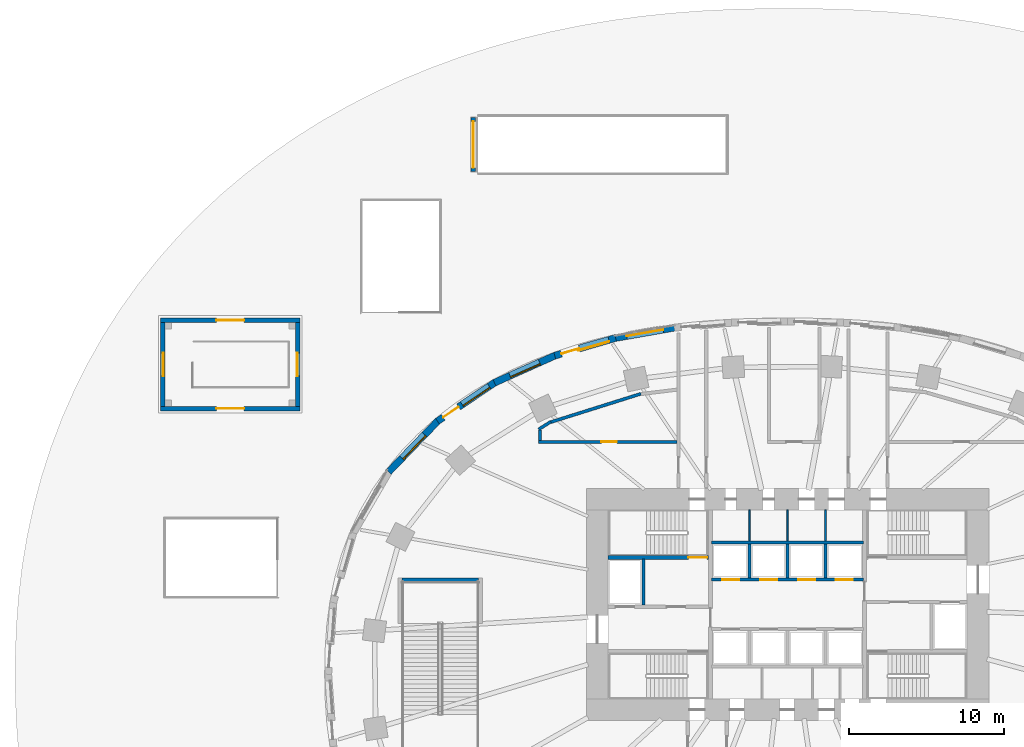
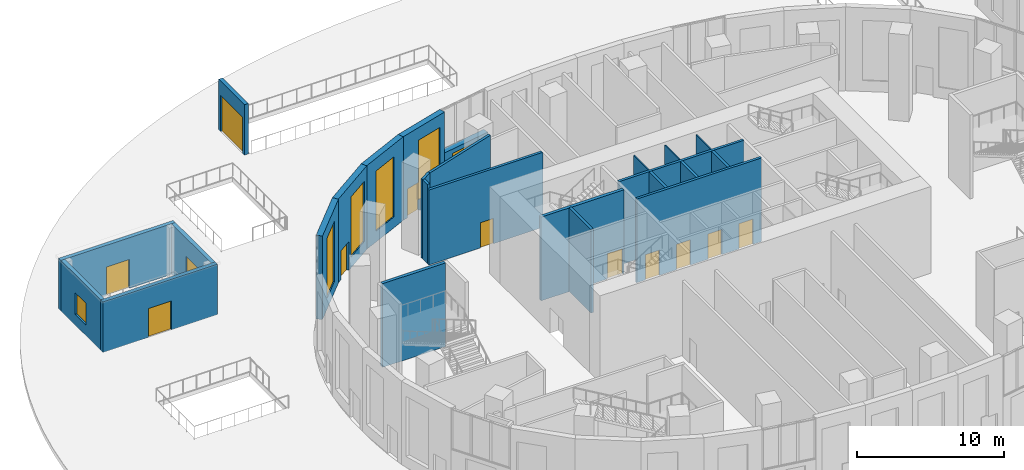
# One storey, part 14 of 27: 25 walls, 12 doors, 6 windows, 18 openings.
"""IFC4 building model written with IfcOpenShell, lengths in metres."""

import ifcopenshell
import ifcopenshell.guid

model = None  # the IFC model being written
_history = None  # IfcOwnerHistory: only IFC2X3 demands one
_inside = {}  # id of a spatial element -> (the spatial element, [elements in it])
_under = {}  # id of a project, library or spatial element -> (it, [spatial elements below it])
_declared = {}  # id of a project -> (the project, [libraries it declares])
_typed = {}  # id of a type object -> (the type object, [elements of that type])
_made_of = {}  # id of a material, layer set ... -> (it, [elements and type objects made of it])


def new_model(schema):
    """Start an empty IFC model of exactly this schema.

    Asked for "IFC4X3", IfcOpenShell would pick the latest addendum, in which some entities
    have other attributes; the version numbers below select the first issue.
    IFC2X3 requires an IfcOwnerHistory on every rooted entity: one is made here for all.
    """
    global model, _history
    if schema == "IFC4X3":
        model = ifcopenshell.file(schema_version=(4, 3, 0, 0))
    else:
        model = ifcopenshell.file(schema=schema)
    _inside.clear()
    _under.clear()
    _declared.clear()
    _typed.clear()
    _made_of.clear()
    _history = None
    if model.schema == "IFC2X3":
        org = make("IfcOrganization", Name="unknown")
        user = make(
            "IfcPersonAndOrganization",
            ThePerson=make("IfcPerson", FamilyName="unknown"),
            TheOrganization=org,
        )
        app = make(
            "IfcApplication",
            ApplicationDeveloper=org,
            Version="unknown",
            ApplicationFullName="unknown",
            ApplicationIdentifier="unknown",
        )
        _history = make(
            "IfcOwnerHistory",
            OwningUser=user,
            OwningApplication=app,
            ChangeAction="ADDED",
            CreationDate=0,
        )
    return model


def make(cls, **values):
    """One entity of the class cls with the attributes given. An attribute that is None is left unset."""
    return model.create_entity(
        cls, **{name: value for name, value in values.items() if value is not None}
    )


def rooted(cls, **values):
    """An entity with a GlobalId (a new one), such as an element, a storey or a relation."""
    return make(cls, GlobalId=ifcopenshell.guid.new(), OwnerHistory=_history, **values)


def si_unit(unit_type, name, prefix=None):
    """IfcSIUnit, for example si_unit("LENGTHUNIT", "METRE", prefix="MILLI")."""
    return make("IfcSIUnit", UnitType=unit_type, Prefix=prefix, Name=name)


def assignment(units):
    """IfcUnitAssignment: the units of a project."""
    return None if units is None else make("IfcUnitAssignment", Units=units)


def point(xyz):
    """IfcCartesianPoint."""
    return None if xyz is None else make("IfcCartesianPoint", Coordinates=xyz)


def direction(xyz):
    """IfcDirection."""
    return None if xyz is None else make("IfcDirection", DirectionRatios=xyz)


def frame(location, z_axis=None, x_axis=None):
    """IfcAxis2Placement3D, a coordinate frame: its origin and axes. An axis left out is left unset."""
    return make(
        "IfcAxis2Placement3D",
        Location=point(location),
        Axis=direction(z_axis),
        RefDirection=direction(x_axis),
    )


def frame_2d(location, x_axis=None):
    """IfcAxis2Placement2D, a coordinate frame in the plane: its origin and x axis."""
    return make(
        "IfcAxis2Placement2D", Location=point(location), RefDirection=direction(x_axis)
    )


def origin():
    """The frame at (0, 0, 0) with its axes left unset."""
    return frame((0.0, 0.0, 0.0))


def place(relative_to, where):
    """IfcLocalPlacement: puts the frame where relative to a parent placement (None: the world)."""
    return make(
        "IfcLocalPlacement", PlacementRelTo=relative_to, RelativePlacement=where
    )


def context(
    kind, dimensions, precision=None, world=None, true_north=None, identifier=None
):
    """IfcGeometricRepresentationContext, for example the 3D "Model" context."""
    return make(
        "IfcGeometricRepresentationContext",
        ContextIdentifier=identifier,
        ContextType=kind,
        CoordinateSpaceDimension=dimensions,
        Precision=precision,
        WorldCoordinateSystem=world,
        TrueNorth=true_north,
    )


def subcontext(parent, identifier, kind, view, scale=None):
    """IfcGeometricRepresentationSubContext, for example "Body" below "Model"."""
    return make(
        "IfcGeometricRepresentationSubContext",
        ContextIdentifier=identifier,
        ContextType=kind,
        ParentContext=parent,
        TargetScale=scale,
        TargetView=view,
    )


def project(units=None, contexts=None):
    """IfcProject with its units and contexts."""
    return rooted(
        "IfcProject",
        Name="project",
        RepresentationContexts=contexts,
        UnitsInContext=assignment(units),
    )


def spatial(cls, under=None, at=None, **own):
    """A site, building, storey or space (cls), placed at a placement, below another one or the project."""
    s = rooted(cls, ObjectPlacement=at, **own)
    if under is not None:
        _under.setdefault(under.id(), (under, []))[1].append(s)
    return s


def profile(cls, at=None, kind="AREA", **sizes):
    """A parametric profile (cls). Its sizes go by their IFC names, for example OverallWidth=200.0."""
    return make(cls, ProfileType=kind, Position=at, **sizes)


def rectangle(**sizes):
    """IfcRectangleProfileDef."""
    return profile("IfcRectangleProfileDef", **sizes)


def extrude(swept, where, along, depth):
    """IfcExtrudedAreaSolid: the profile swept, set in the frame where, extruded along a direction by depth."""
    return make(
        "IfcExtrudedAreaSolid",
        SweptArea=swept,
        Position=where,
        ExtrudedDirection=direction(along),
        Depth=depth,
    )


def shape(context_of_items, identifier, shape_type, items):
    """IfcShapeRepresentation: the items that make up one representation, for example the "Body"."""
    return make(
        "IfcShapeRepresentation",
        ContextOfItems=context_of_items,
        RepresentationIdentifier=identifier,
        RepresentationType=shape_type,
        Items=items,
    )


def material(Name=None, Category=None):
    """IfcMaterial."""
    return make("IfcMaterial", Name=Name, Category=Category)


def layer(
    of_material, thickness, ventilated=None, Name=None, Category=None, Priority=None
):
    """IfcMaterialLayer: one layer of a wall or slab, of a material (None: an air gap)."""
    return make(
        "IfcMaterialLayer",
        Material=of_material,
        LayerThickness=thickness,
        IsVentilated=ventilated,
        Name=Name,
        Category=Category,
        Priority=Priority,
    )


def layer_set(layers, Name=None):
    """IfcMaterialLayerSet."""
    return make("IfcMaterialLayerSet", MaterialLayers=layers, LayerSetName=Name)


def made_of(thing, what):
    """Note that an element or type object is made of a material, layer set ...; save() writes the relation."""
    if what is not None:
        _made_of.setdefault(what.id(), (what, []))[1].append(thing)
    return thing


def type_object(cls, material=None, **own):
    """A type object (cls), such as IfcWallType, which elements share."""
    return made_of(rooted(cls, **own), material)


def element(
    cls,
    number,
    at=None,
    inside=None,
    cuts=None,
    type_object=None,
    material=None,
    context=None,
    identifier="Body",
    shape_type=None,
    held_by="IfcProductDefinitionShape",
    body=None,
    shapes=None,
    **own,
):
    """One element of the class cls, such as IfcWall. Its Tag is "e" and its number.

    at: its placement. inside: the storey or other place that contains it. cuts: it is an
    opening in that element (IfcRelVoidsElement). A single representation is given by context,
    identifier, shape_type and body (its items); several are given by shapes. held_by: the class
    of the entity that holds the representations. save() writes the other relations.
    """
    e = rooted(cls, Tag="e%d" % number, ObjectPlacement=at, **own)
    if body is not None:
        shapes = [shape(context, identifier, shape_type, body)]
    if shapes is not None:
        e.Representation = make(held_by, Representations=shapes)
    if inside is not None:
        _inside.setdefault(inside.id(), (inside, []))[1].append(e)
    if cuts is not None:
        rooted(
            "IfcRelVoidsElement", RelatingBuildingElement=cuts, RelatedOpeningElement=e
        )
    if type_object is not None:
        _typed.setdefault(type_object.id(), (type_object, []))[1].append(e)
    return made_of(e, material)


def fill(opening, filler):
    """IfcRelFillsElement: the door or window that sits in an opening."""
    return rooted(
        "IfcRelFillsElement",
        RelatingOpeningElement=opening,
        RelatedBuildingElement=filler,
    )


def aggregate(whole, parts):
    """IfcRelAggregates: a whole, such as a stair, and the parts it consists of."""
    return rooted("IfcRelAggregates", RelatingObject=whole, RelatedObjects=parts)


def save(model, path):
    """Write the relations noted so far, then the file.

    IfcRelAggregates (storeys below a building ...), IfcRelContainedInSpatialStructure (elements
    in a storey), IfcRelDefinesByType, IfcRelAssociatesMaterial and IfcRelDeclares: one each for
    every whole, place, type object, material and project.
    """
    for whole, parts in _under.values():
        aggregate(whole, parts)
    for where, things in _inside.values():
        rooted(
            "IfcRelContainedInSpatialStructure",
            RelatedElements=things,
            RelatingStructure=where,
        )
    for kind, things in _typed.values():
        rooted("IfcRelDefinesByType", RelatedObjects=things, RelatingType=kind)
    for what, things in _made_of.values():
        rooted("IfcRelAssociatesMaterial", RelatedObjects=things, RelatingMaterial=what)
    for by, libraries in _declared.values():
        rooted("IfcRelDeclares", RelatingContext=by, RelatedDefinitions=libraries)
    model.write(path)


model = new_model("IFC4")

# Units and contexts
model_context = context("Model", 3, precision=1e-05, world=origin(), true_north=direction((0.0, 1.0)))
body_context = subcontext(model_context, "Body", "Model", "MODEL_VIEW")
ifc_project = project(units=[si_unit("LENGTHUNIT", "METRE"), si_unit("AREAUNIT", "SQUARE_METRE"), si_unit("VOLUMEUNIT", "CUBIC_METRE"), si_unit("PLANEANGLEUNIT", "RADIAN"), si_unit("MASSUNIT", "GRAM", prefix="KILO")], contexts=[model_context])

# Site, building, storey
site_placement = place(None, origin())
site = spatial("IfcSite", under=ifc_project, at=site_placement, CompositionType="ELEMENT")
building_placement = place(site_placement, origin())
building = spatial("IfcBuilding", under=site, at=building_placement, Name="Rubra Terraces Tower", CompositionType="ELEMENT")
storey_placement = place(building_placement, origin())
storey = spatial("IfcBuildingStorey", under=building, at=storey_placement, Name="L00", CompositionType="ELEMENT", Elevation=0.0)

# Wall, openings, door, window
ifc_material_1 = material(Name="Brick masonry red-brown", Category="masonry")
ifc_layer_1 = layer(ifc_material_1, 0.449951171875)
ifc_layer_set_1 = layer_set([ifc_layer_1], Name="Brick masonry red-brown")
wall_type_1 = type_object("IfcWallType", Name="Brick facade wall 450", PredefinedType="SOLIDWALL", material=ifc_layer_set_1)
wall_1_placement = place(storey_placement, frame((-11.110107421875, 21.7119140625, 0.0), z_axis=(0.0, 0.0, 1.0), x_axis=(-0.960186274122, -0.279360553743, 0.0)))
wall_1 = element("IfcWall", 1, at=wall_1_placement, inside=storey, type_object=wall_type_1, Name="Facade wall L00 bay 14", PredefinedType="SOLIDWALL", context=body_context, shape_type="SweptSolid", body=[
    extrude(rectangle(XDim=4.0908203125, YDim=0.449951171875, at=frame_2d((2.04541015625, 0.0))), origin(), (0.0, 0.0, 1.0), 6.949951171875),
])
opening_1_placement = place(wall_1_placement, frame((0.449951171875, 0.0, 0.89990234375)))
opening_1 = element("IfcOpeningElement", 2, at=opening_1_placement, cuts=wall_1, Name="Opening W2", PredefinedType="OPENING", context=body_context, shape_type="SweptSolid", body=[
    extrude(rectangle(XDim=2.10009765625, YDim=5.0, at=frame_2d((1.050048828125, 2.5))), frame((0.0, 0.23486328125, 0.0), z_axis=(0.0, -1.0, 0.0), x_axis=(1.0, 0.0, 0.0)), (0.0, 0.0, 1.0), 0.469970703125),
])
opening_2_placement = place(wall_1_placement, frame((2.44091796875, 0.0, 0.0)))
opening_2 = element("IfcOpeningElement", 3, at=opening_2_placement, cuts=wall_1, Name="Opening X2.08", PredefinedType="OPENING", context=body_context, shape_type="SweptSolid", body=[
    extrude(rectangle(XDim=1.199951171875, YDim=2.39990234375, at=frame_2d((0.60009765625, 1.199951171875))), frame((0.0, 0.23486328125, 0.0), z_axis=(0.0, -1.0, 0.0), x_axis=(1.0, 0.0, 0.0)), (0.0, 0.0, 1.0), 0.469970703125),
])
ifc_material_2 = material(Name="Glazed aluminium door leaf", Category="aluminium")
door_type_1 = type_object("IfcDoorType", Name="Exit door 1200 x 2400", OperationType="NOTDEFINED", PredefinedType="DOOR", material=ifc_material_2)
door_1_placement = place(opening_2_placement, frame((1.199951171875, 0.0, 0.0), z_axis=(0.0, 0.0, 1.0), x_axis=(-1.0, 0.0, 0.0)))
door_1 = element("IfcDoor", 4, at=door_1_placement, inside=storey, type_object=door_type_1, Name="Exit door 8", OperationType="SINGLE_SWING_LEFT", OverallHeight=2.39990234375, OverallWidth=1.199951171875, PredefinedType="DOOR", context=body_context, shape_type="SweptSolid", body=[
    extrude(rectangle(XDim=1.199951171875, YDim=2.39990234375, at=frame_2d((0.60009765625, 1.199951171875))), frame((0.0, 0.02490234375, 0.0), z_axis=(0.0, -1.0, 0.0), x_axis=(1.0, 0.0, 0.0)), (0.0, 0.0, 1.0), 0.050048828125),
])
fill(opening_2, door_1)
ifc_material_3 = material(Name="Clear glass in aluminium frame", Category="aluminium")
window_type_1 = type_object("IfcWindowType", Name="Ground storey fixed window 2100 x 5000", PartitioningType="SINGLE_PANEL", PredefinedType="WINDOW", material=ifc_material_3)
window_1_placement = place(opening_1_placement, origin())
window_1 = element("IfcWindow", 5, at=window_1_placement, inside=storey, type_object=window_type_1, Name="Window L00 bay 14", OverallHeight=5.0, OverallWidth=2.10009765625, PartitioningType="SINGLE_PANEL", PredefinedType="WINDOW", context=body_context, shape_type="SweptSolid", body=[
    extrude(rectangle(XDim=2.10009765625, YDim=5.0, at=frame_2d((1.050048828125, 2.5))), frame((0.0, 0.135009765625, 0.0), z_axis=(0.0, -1.0, 0.0), x_axis=(1.0, 0.0, 0.0)), (0.0, 0.0, 1.0), 0.06005859375),
])
fill(opening_1, window_1)

# Wall, opening, window
wall_2_placement = place(storey_placement, frame((-15.009033203125, 20.57958984375, 0.0), z_axis=(0.0, 0.0, 1.0), x_axis=(-0.912571415594, -0.408917365052, 0.0)))
wall_2 = element("IfcWall", 6, at=wall_2_placement, inside=storey, type_object=wall_type_1, Name="Facade wall L00 bay 15", PredefinedType="SOLIDWALL", context=body_context, shape_type="SweptSolid", body=[
    extrude(rectangle(XDim=4.301025390625, YDim=0.449951171875, at=frame_2d((2.150390625, 0.0))), origin(), (0.0, 0.0, 1.0), 6.949951171875),
])
opening_3_placement = place(wall_2_placement, frame((1.1005859375, 0.0, 0.89990234375)))
opening_3 = element("IfcOpeningElement", 7, at=opening_3_placement, cuts=wall_2, Name="Opening W2", PredefinedType="OPENING", context=body_context, shape_type="SweptSolid", body=[
    extrude(rectangle(XDim=2.10009765625, YDim=5.0, at=frame_2d((1.050048828125, 2.5))), frame((0.0, 0.23486328125, 0.0), z_axis=(0.0, -1.0, 0.0), x_axis=(1.0, 0.0, 0.0)), (0.0, 0.0, 1.0), 0.469970703125),
])
window_2_placement = place(opening_3_placement, origin())
window_2 = element("IfcWindow", 8, at=window_2_placement, inside=storey, type_object=window_type_1, Name="Window L00 bay 15", OverallHeight=5.0, OverallWidth=2.10009765625, PartitioningType="SINGLE_PANEL", PredefinedType="WINDOW", context=body_context, shape_type="SweptSolid", body=[
    extrude(rectangle(XDim=2.10009765625, YDim=5.0, at=frame_2d((1.050048828125, 2.5))), frame((0.0, 0.135009765625, 0.0), z_axis=(0.0, -1.0, 0.0), x_axis=(1.0, 0.0, 0.0)), (0.0, 0.0, 1.0), 0.06005859375),
])
fill(opening_3, window_2)

# Wall, openings, door, window
wall_3_placement = place(storey_placement, frame((-18.900146484375, 18.839599609375, 0.0), z_axis=(0.0, 0.0, 1.0), x_axis=(-0.828976924359, -0.559282807604, 0.0)))
wall_3 = element("IfcWall", 9, at=wall_3_placement, inside=storey, type_object=wall_type_1, Name="Facade wall L00 bay 16", PredefinedType="SOLIDWALL", context=body_context, shape_type="SweptSolid", body=[
    extrude(rectangle(XDim=4.479248046875, YDim=0.449951171875, at=frame_2d((2.23974609375, 0.0))), origin(), (0.0, 0.0, 1.0), 6.949951171875),
])
opening_4_placement = place(wall_3_placement, frame((0.449951171875, 0.0, 0.89990234375)))
opening_4 = element("IfcOpeningElement", 10, at=opening_4_placement, cuts=wall_3, Name="Opening W2", PredefinedType="OPENING", context=body_context, shape_type="SweptSolid", body=[
    extrude(rectangle(XDim=2.10009765625, YDim=5.0, at=frame_2d((1.050048828125, 2.5))), frame((0.0, 0.23486328125, 0.0), z_axis=(0.0, -1.0, 0.0), x_axis=(1.0, 0.0, 0.0)), (0.0, 0.0, 1.0), 0.469970703125),
])
opening_5_placement = place(wall_3_placement, frame((2.8291015625, 0.0, 0.0)))
opening_5 = element("IfcOpeningElement", 11, at=opening_5_placement, cuts=wall_3, Name="Opening X2.09", PredefinedType="OPENING", context=body_context, shape_type="SweptSolid", body=[
    extrude(rectangle(XDim=1.199951171875, YDim=2.39990234375, at=frame_2d((0.60009765625, 1.199951171875))), frame((0.0, 0.23486328125, 0.0), z_axis=(0.0, -1.0, 0.0), x_axis=(1.0, 0.0, 0.0)), (0.0, 0.0, 1.0), 0.469970703125),
])
door_2_placement = place(opening_5_placement, frame((1.199951171875, 0.0, 0.0), z_axis=(0.0, 0.0, 1.0), x_axis=(-1.0, 0.0, 0.0)))
door_2 = element("IfcDoor", 12, at=door_2_placement, inside=storey, type_object=door_type_1, Name="Exit door 9", OperationType="SINGLE_SWING_RIGHT", OverallHeight=2.39990234375, OverallWidth=1.199951171875, PredefinedType="DOOR", context=body_context, shape_type="SweptSolid", body=[
    extrude(rectangle(XDim=1.199951171875, YDim=2.39990234375, at=frame_2d((0.60009765625, 1.199951171875))), frame((0.0, 0.02490234375, 0.0), z_axis=(0.0, -1.0, 0.0), x_axis=(1.0, 0.0, 0.0)), (0.0, 0.0, 1.0), 0.050048828125),
])
fill(opening_5, door_2)
window_3_placement = place(opening_4_placement, origin())
window_3 = element("IfcWindow", 13, at=window_3_placement, inside=storey, type_object=window_type_1, Name="Window L00 bay 16", OverallHeight=5.0, OverallWidth=2.10009765625, PartitioningType="SINGLE_PANEL", PredefinedType="WINDOW", context=body_context, shape_type="SweptSolid", body=[
    extrude(rectangle(XDim=2.10009765625, YDim=5.0, at=frame_2d((1.050048828125, 2.5))), frame((0.0, 0.135009765625, 0.0), z_axis=(0.0, -1.0, 0.0), x_axis=(1.0, 0.0, 0.0)), (0.0, 0.0, 1.0), 0.06005859375),
])
fill(opening_4, window_3)

# Wall, opening, window
wall_4_placement = place(storey_placement, frame((-22.576904296875, 16.36474609375, 0.0), z_axis=(0.0, 0.0, 1.0), x_axis=(-0.694191591241, -0.719790271294, 0.0)))
wall_4 = element("IfcWall", 14, at=wall_4_placement, inside=storey, type_object=wall_type_1, Name="Facade wall L00 bay 17", PredefinedType="SOLIDWALL", context=body_context, shape_type="SweptSolid", body=[
    extrude(rectangle(XDim=4.596923828125, YDim=0.449951171875, at=frame_2d((2.29833984375, 0.0))), origin(), (0.0, 0.0, 1.0), 6.949951171875),
])
opening_6_placement = place(wall_4_placement, frame((1.24853515625, 0.0, 0.89990234375)))
opening_6 = element("IfcOpeningElement", 15, at=opening_6_placement, cuts=wall_4, Name="Opening W2", PredefinedType="OPENING", context=body_context, shape_type="SweptSolid", body=[
    extrude(rectangle(XDim=2.10009765625, YDim=5.0, at=frame_2d((1.050048828125, 2.5))), frame((0.0, 0.23486328125, 0.0), z_axis=(0.0, -1.0, 0.0), x_axis=(1.0, 0.0, 0.0)), (0.0, 0.0, 1.0), 0.469970703125),
])
window_4_placement = place(opening_6_placement, origin())
window_4 = element("IfcWindow", 16, at=window_4_placement, inside=storey, type_object=window_type_1, Name="Window L00 bay 17", OverallHeight=5.0, OverallWidth=2.10009765625, PartitioningType="SINGLE_PANEL", PredefinedType="WINDOW", context=body_context, shape_type="SweptSolid", body=[
    extrude(rectangle(XDim=2.10009765625, YDim=5.0, at=frame_2d((1.050048828125, 2.5))), frame((0.0, 0.135009765625, 0.0), z_axis=(0.0, -1.0, 0.0), x_axis=(1.0, 0.0, 0.0)), (0.0, 0.0, 1.0), 0.06005859375),
])
fill(opening_6, window_4)

# Wall, opening, door
ifc_layer_2 = layer(ifc_material_1, 0.449951171875)
ifc_layer_set_2 = layer_set([ifc_layer_2], Name="Brick masonry red-brown")
wall_type_2 = type_object("IfcWallType", Name="Brick wall under entrance screen 450", PredefinedType="SOLIDWALL", material=ifc_layer_set_2)
wall_5_placement = place(storey_placement, frame((-7.30419921875, 22.37841796875, 0.0), z_axis=(0.0, 0.0, 1.0), x_axis=(-0.984947461591, -0.172853978566, 0.0)))
wall_5 = element("IfcWall", 17, at=wall_5_placement, inside=storey, type_object=wall_type_2, Name="Facade wall L00 bay 13", PredefinedType="SOLIDWALL", context=body_context, shape_type="SweptSolid", body=[
    extrude(rectangle(XDim=3.888427734375, YDim=0.449951171875, at=frame_2d((1.9443359375, 0.0))), origin(), (0.0, 0.0, 1.0), 3.550048828125),
])
opening_7_placement = place(wall_5_placement, frame((0.744384765625, 0.0, 0.0)))
opening_7 = element("IfcOpeningElement", 18, at=opening_7_placement, cuts=wall_5, Name="Opening X1.03", PredefinedType="OPENING", context=body_context, shape_type="SweptSolid", body=[
    extrude(rectangle(XDim=2.39990234375, YDim=3.199951171875, at=frame_2d((1.199951171875, 1.60009765625))), frame((0.0, 0.23486328125, 0.0), z_axis=(0.0, -1.0, 0.0), x_axis=(1.0, 0.0, 0.0)), (0.0, 0.0, 1.0), 0.469970703125),
])
door_type_2 = type_object("IfcDoorType", Name="Entrance double door 2400 x 3200", OperationType="DOUBLE_DOOR_DOUBLE_SWING", PredefinedType="DOOR", material=ifc_material_2)
door_3_placement = place(opening_7_placement, origin())
door_3 = element("IfcDoor", 19, at=door_3_placement, inside=storey, type_object=door_type_2, Name="Entrance double door 3", OperationType="DOUBLE_DOOR_DOUBLE_SWING", OverallHeight=3.199951171875, OverallWidth=2.39990234375, PredefinedType="DOOR", context=body_context, shape_type="SweptSolid", body=[
    extrude(rectangle(XDim=2.39990234375, YDim=3.199951171875, at=frame_2d((1.199951171875, 1.60009765625))), frame((0.0, 0.02490234375, 0.0), z_axis=(0.0, -1.0, 0.0), x_axis=(1.0, 0.0, 0.0)), (0.0, 0.0, 1.0), 0.050048828125),
])
fill(opening_7, door_3)

# Wall
ifc_material_4 = material(Name="Concrete C30", Category="concrete")
ifc_layer_3 = layer(ifc_material_4, 0.199951171875)
ifc_layer_set_3 = layer_set([ifc_layer_3], Name="Concrete C30")
wall_type_3 = type_object("IfcWallType", Name="Core wall 200 concrete", PredefinedType="SOLIDWALL", material=ifc_layer_set_3)
wall_6_placement = place(storey_placement, frame((-9.300048828125, 4.449951171875, 0.0), z_axis=(0.0, 0.0, 1.0), x_axis=(0.0, 1.0, 0.0)))
element("IfcWall", 20, at=wall_6_placement, inside=storey, type_object=wall_type_3, Name="STAIR WALL L00", PredefinedType="SOLIDWALL", context=body_context, shape_type="SweptSolid", body=[
    extrude(rectangle(XDim=3.0, YDim=0.199951171875, at=frame_2d((1.5, 0.0))), origin(), (0.0, 0.0, 1.0), 6.949951171875),
])

# Wall, openings, doors
wall_7_placement = place(storey_placement, frame((-4.89990234375, 6.10009765625, 0.0), z_axis=(0.0, 0.0, 1.0), x_axis=(1.0, 0.0, 0.0)))
wall_7 = element("IfcWall", 21, at=wall_7_placement, inside=storey, type_object=wall_type_3, Name="LIFT SHAFT WALL L00", PredefinedType="SOLIDWALL", context=body_context, shape_type="SweptSolid", body=[
    extrude(rectangle(XDim=9.7998046875, YDim=0.199951171875, at=frame_2d((4.89990234375, 0.0))), origin(), (0.0, 0.0, 1.0), 6.949951171875),
])
opening_8_placement = place(wall_7_placement, frame((0.675048828125, 0.0, 0.0)))
opening_8 = element("IfcOpeningElement", 22, at=opening_8_placement, cuts=wall_7, Name="Opening L00.C17", PredefinedType="OPENING", context=body_context, shape_type="SweptSolid", body=[
    extrude(rectangle(XDim=1.10009765625, YDim=2.10009765625, at=frame_2d((0.550048828125, 1.050048828125))), frame((0.0, 0.10986328125, 0.0), z_axis=(0.0, -1.0, 0.0), x_axis=(1.0, 0.0, 0.0)), (0.0, 0.0, 1.0), 0.219970703125),
])
opening_9_placement = place(wall_7_placement, frame((3.125, 0.0, 0.0)))
opening_9 = element("IfcOpeningElement", 23, at=opening_9_placement, cuts=wall_7, Name="Opening L00.C18", PredefinedType="OPENING", context=body_context, shape_type="SweptSolid", body=[
    extrude(rectangle(XDim=1.10009765625, YDim=2.10009765625, at=frame_2d((0.550048828125, 1.050048828125))), frame((0.0, 0.10986328125, 0.0), z_axis=(0.0, -1.0, 0.0), x_axis=(1.0, 0.0, 0.0)), (0.0, 0.0, 1.0), 0.219970703125),
])
opening_10_placement = place(wall_7_placement, frame((5.574951171875, 0.0, 0.0)))
opening_10 = element("IfcOpeningElement", 24, at=opening_10_placement, cuts=wall_7, Name="Opening L00.C19", PredefinedType="OPENING", context=body_context, shape_type="SweptSolid", body=[
    extrude(rectangle(XDim=1.10009765625, YDim=2.10009765625, at=frame_2d((0.550048828125, 1.050048828125))), frame((0.0, 0.10986328125, 0.0), z_axis=(0.0, -1.0, 0.0), x_axis=(1.0, 0.0, 0.0)), (0.0, 0.0, 1.0), 0.219970703125),
])
opening_11_placement = place(wall_7_placement, frame((8.02490234375, 0.0, 0.0)))
opening_11 = element("IfcOpeningElement", 25, at=opening_11_placement, cuts=wall_7, Name="Opening L00.C20", PredefinedType="OPENING", context=body_context, shape_type="SweptSolid", body=[
    extrude(rectangle(XDim=1.10009765625, YDim=2.10009765625, at=frame_2d((0.550048828125, 1.050048828125))), frame((0.0, 0.10986328125, 0.0), z_axis=(0.0, -1.0, 0.0), x_axis=(1.0, 0.0, 0.0)), (0.0, 0.0, 1.0), 0.219970703125),
])
ifc_material_5 = material(Name="Stainless steel", Category="steel")
door_type_3 = type_object("IfcDoorType", Name="Lift landing door 1100x2100", OperationType="NOTDEFINED", PredefinedType="DOOR", material=ifc_material_5)
door_4_placement = place(opening_8_placement, origin())
door_4 = element("IfcDoor", 26, at=door_4_placement, inside=storey, type_object=door_type_3, Name="Landing door LB3", OperationType="SLIDING_TO_RIGHT", OverallHeight=2.10009765625, OverallWidth=1.10009765625, PredefinedType="DOOR", context=body_context, shape_type="SweptSolid", body=[
    extrude(rectangle(XDim=1.10009765625, YDim=2.10009765625, at=frame_2d((0.550048828125, 1.050048828125))), frame((0.0, 0.02490234375, 0.0), z_axis=(0.0, -1.0, 0.0), x_axis=(1.0, 0.0, 0.0)), (0.0, 0.0, 1.0), 0.050048828125),
])
fill(opening_8, door_4)
door_5_placement = place(opening_9_placement, origin())
door_5 = element("IfcDoor", 27, at=door_5_placement, inside=storey, type_object=door_type_3, Name="Landing door LB4", OperationType="SLIDING_TO_LEFT", OverallHeight=2.10009765625, OverallWidth=1.10009765625, PredefinedType="DOOR", context=body_context, shape_type="SweptSolid", body=[
    extrude(rectangle(XDim=1.10009765625, YDim=2.10009765625, at=frame_2d((0.550048828125, 1.050048828125))), frame((0.0, 0.02490234375, 0.0), z_axis=(0.0, -1.0, 0.0), x_axis=(1.0, 0.0, 0.0)), (0.0, 0.0, 1.0), 0.050048828125),
])
fill(opening_9, door_5)
door_6_placement = place(opening_10_placement, origin())
door_6 = element("IfcDoor", 28, at=door_6_placement, inside=storey, type_object=door_type_3, Name="Landing door LB5", OperationType="SLIDING_TO_RIGHT", OverallHeight=2.10009765625, OverallWidth=1.10009765625, PredefinedType="DOOR", context=body_context, shape_type="SweptSolid", body=[
    extrude(rectangle(XDim=1.10009765625, YDim=2.10009765625, at=frame_2d((0.550048828125, 1.050048828125))), frame((0.0, 0.02490234375, 0.0), z_axis=(0.0, -1.0, 0.0), x_axis=(1.0, 0.0, 0.0)), (0.0, 0.0, 1.0), 0.050048828125),
])
fill(opening_10, door_6)
door_7_placement = place(opening_11_placement, origin())
door_7 = element("IfcDoor", 29, at=door_7_placement, inside=storey, type_object=door_type_3, Name="Landing door LB6", OperationType="SLIDING_TO_LEFT", OverallHeight=2.10009765625, OverallWidth=1.10009765625, PredefinedType="DOOR", context=body_context, shape_type="SweptSolid", body=[
    extrude(rectangle(XDim=1.10009765625, YDim=2.10009765625, at=frame_2d((0.550048828125, 1.050048828125))), frame((0.0, 0.02490234375, 0.0), z_axis=(0.0, -1.0, 0.0), x_axis=(1.0, 0.0, 0.0)), (0.0, 0.0, 1.0), 0.050048828125),
])
fill(opening_11, door_7)

# Walls
wall_8_placement = place(storey_placement, frame((-4.89990234375, 8.5, 0.0), z_axis=(0.0, 0.0, 1.0), x_axis=(1.0, 0.0, 0.0)))
element("IfcWall", 30, at=wall_8_placement, inside=storey, type_object=wall_type_3, Name="LIFT SHAFT WALL L00", PredefinedType="SOLIDWALL", context=body_context, shape_type="SweptSolid", body=[
    extrude(rectangle(XDim=9.7998046875, YDim=0.199951171875, at=frame_2d((4.89990234375, 0.0))), origin(), (0.0, 0.0, 1.0), 6.949951171875),
])
for number, where, z_axis, x_axis, name in (
    (31, (-2.449951171875, 6.199951171875, 0.0), (0.0, 0.0, 1.0), (0.0, 1.0, 0.0), "LIFT SHAFT WALL L00"),
    (32, (0.0, 6.199951171875, 0.0), (0.0, 0.0, 1.0), (0.0, 1.0, 0.0), "LIFT SHAFT WALL L00"),
    (33, (2.449951171875, 6.199951171875, 0.0), (0.0, 0.0, 1.0), (0.0, 1.0, 0.0), "LIFT SHAFT WALL L00"),
):
    element("IfcWall", number, at=place(storey_placement, frame(where, z_axis=z_axis, x_axis=x_axis)), inside=storey, type_object=wall_type_3, Name=name, PredefinedType="SOLIDWALL", context=body_context, shape_type="SweptSolid", body=[
        extrude(rectangle(XDim=2.199951171875, YDim=0.199951171875, at=frame_2d((1.10009765625, 0.0))), origin(), (0.0, 0.0, 1.0), 6.949951171875),
    ])

# Wall, opening, door
ifc_material_6 = material(Name="Blockwork", Category="masonry")
ifc_layer_4 = layer(ifc_material_6, 0.199951171875)
ifc_layer_set_4 = layer_set([ifc_layer_4], Name="Blockwork")
wall_type_4 = type_object("IfcWallType", Name="Corridor partition 200 blockwork", PredefinedType="PARTITIONING", material=ifc_layer_set_4)
wall_9_placement = place(storey_placement, frame((-7.14697265625, 15.0, 0.0), z_axis=(0.0, 0.0, 1.0), x_axis=(-1.0, 0.0, 0.0)))
wall_9 = element("IfcWall", 34, at=wall_9_placement, inside=storey, type_object=wall_type_4, Name="Partition wall", PredefinedType="PARTITIONING", context=body_context, shape_type="SweptSolid", body=[
    extrude(rectangle(XDim=8.953125, YDim=0.199951171875, at=frame_2d((4.4765625, 0.0))), origin(), (0.0, 0.0, 1.0), 6.22998046875),
])
opening_12_placement = place(wall_9_placement, frame((3.8759765625, 0.0, 0.0)))
opening_12 = element("IfcOpeningElement", 35, at=opening_12_placement, cuts=wall_9, Name="Opening DB1", PredefinedType="OPENING", context=body_context, shape_type="SweptSolid", body=[
    extrude(rectangle(XDim=1.0, YDim=2.10009765625, at=frame_2d((0.5, 1.050048828125))), frame((0.0, 0.10986328125, 0.0), z_axis=(0.0, -1.0, 0.0), x_axis=(1.0, 0.0, 0.0)), (0.0, 0.0, 1.0), 0.219970703125),
])
ifc_material_7 = material(Name="Painted timber", Category="wood")
door_type_4 = type_object("IfcDoorType", Name="Door 1000x2100 single", OperationType="NOTDEFINED", PredefinedType="DOOR", material=ifc_material_7)
door_8_placement = place(opening_12_placement, origin())
door_8 = element("IfcDoor", 36, at=door_8_placement, inside=storey, type_object=door_type_4, Name="Door L00-17", OperationType="SINGLE_SWING_LEFT", OverallHeight=2.10009765625, OverallWidth=1.0, PredefinedType="DOOR", context=body_context, shape_type="SweptSolid", body=[
    extrude(rectangle(XDim=1.0, YDim=2.10009765625, at=frame_2d((0.5, 1.050048828125))), frame((0.0, 0.02490234375, 0.0), z_axis=(0.0, -1.0, 0.0), x_axis=(1.0, 0.0, 0.0)), (0.0, 0.0, 1.0), 0.050048828125),
])
fill(opening_12, door_8)

ifc_layer_5 = layer(ifc_material_1, 0.300048828125)
ifc_layer_set_5 = layer_set([ifc_layer_5], Name="Brick masonry red-brown")
wall_type_5 = type_object("IfcWallType", Name="Pavilion brick wall 300", PredefinedType="SOLIDWALL", material=ifc_layer_set_5)
wall_10_placement = place(storey_placement, frame((-40.5, 17.14990234375, 0.0), z_axis=(0.0, 0.0, 1.0), x_axis=(1.0, 0.0, 0.0)))
wall_10 = element("IfcWall", 37, at=wall_10_placement, inside=storey, type_object=wall_type_5, Name="Pavilion SP2 wall S", PredefinedType="SOLIDWALL", context=body_context, shape_type="SweptSolid", body=[
    extrude(rectangle(XDim=9.0, YDim=0.300048828125, at=frame_2d((4.5, 0.0))), origin(), (0.0, 0.0, 1.0), 4.199951171875),
])
opening_13_placement = place(wall_10_placement, frame((3.60009765625, 0.0, 0.0)))
opening_13 = element("IfcOpeningElement", 38, at=opening_13_placement, cuts=wall_10, Name="Opening P2.S", PredefinedType="OPENING", context=body_context, shape_type="SweptSolid", body=[
    extrude(rectangle(XDim=1.800048828125, YDim=2.39990234375, at=frame_2d((0.89990234375, 1.199951171875))), frame((0.0, 0.159912109375, 0.0), z_axis=(0.0, -1.0, 0.0), x_axis=(1.0, 0.0, 0.0)), (0.0, 0.0, 1.0), 0.320068359375),
])
door_type_5 = type_object("IfcDoorType", Name="Pavilion double door 1800 x 2400", OperationType="DOUBLE_DOOR_DOUBLE_SWING", PredefinedType="DOOR", material=ifc_material_2)
door_9_placement = place(opening_13_placement, origin())
door_9 = element("IfcDoor", 39, at=door_9_placement, inside=storey, type_object=door_type_5, Name="Station entrance door SP2S", OperationType="DOUBLE_DOOR_DOUBLE_SWING", OverallHeight=2.39990234375, OverallWidth=1.800048828125, PredefinedType="DOOR", context=body_context, shape_type="SweptSolid", body=[
    extrude(rectangle(XDim=1.800048828125, YDim=2.39990234375, at=frame_2d((0.89990234375, 1.199951171875))), frame((0.0, 0.02490234375, 0.0), z_axis=(0.0, -1.0, 0.0), x_axis=(1.0, 0.0, 0.0)), (0.0, 0.0, 1.0), 0.050048828125),
])
fill(opening_13, door_9)

# Wall, opening, window
wall_11_placement = place(storey_placement, frame((-31.64990234375, 17.300048828125, 0.0), z_axis=(0.0, 0.0, 1.0), x_axis=(0.0, 1.0, 0.0)))
wall_11 = element("IfcWall", 40, at=wall_11_placement, inside=storey, type_object=wall_type_5, Name="Pavilion SP2 wall E", PredefinedType="SOLIDWALL", context=body_context, shape_type="SweptSolid", body=[
    extrude(rectangle(XDim=5.39990234375, YDim=0.300048828125, at=frame_2d((2.699951171875, 0.0))), origin(), (0.0, 0.0, 1.0), 4.199951171875),
])
opening_14_placement = place(wall_11_placement, frame((1.949951171875, 0.0, 0.89990234375)))
opening_14 = element("IfcOpeningElement", 41, at=opening_14_placement, cuts=wall_11, Name="Opening W5", PredefinedType="OPENING", context=body_context, shape_type="SweptSolid", body=[
    extrude(rectangle(XDim=1.5, YDim=1.800048828125, at=frame_2d((0.75, 0.89990234375))), frame((0.0, 0.159912109375, 0.0), z_axis=(0.0, -1.0, 0.0), x_axis=(1.0, 0.0, 0.0)), (0.0, 0.0, 1.0), 0.320068359375),
])
window_type_2 = type_object("IfcWindowType", Name="Pavilion window 1500 x 1800", PartitioningType="SINGLE_PANEL", PredefinedType="WINDOW", material=ifc_material_3)
window_5_placement = place(opening_14_placement, origin())
window_5 = element("IfcWindow", 42, at=window_5_placement, inside=storey, type_object=window_type_2, Name="Pavilion window SP2E", OverallHeight=1.800048828125, OverallWidth=1.5, PartitioningType="SINGLE_PANEL", PredefinedType="WINDOW", context=body_context, shape_type="SweptSolid", body=[
    extrude(rectangle(XDim=1.5, YDim=1.800048828125, at=frame_2d((0.75, 0.89990234375))), frame((0.0, 0.06005859375, 0.0), z_axis=(0.0, -1.0, 0.0), x_axis=(1.0, 0.0, 0.0)), (0.0, 0.0, 1.0), 0.06005859375),
])
fill(opening_14, window_5)

# Wall, opening, door
wall_12_placement = place(storey_placement, frame((-31.5, 22.85009765625, 0.0), z_axis=(0.0, 0.0, 1.0), x_axis=(-1.0, 0.0, 0.0)))
wall_12 = element("IfcWall", 43, at=wall_12_placement, inside=storey, type_object=wall_type_5, Name="Pavilion SP2 wall N", PredefinedType="SOLIDWALL", context=body_context, shape_type="SweptSolid", body=[
    extrude(rectangle(XDim=9.0, YDim=0.300048828125, at=frame_2d((4.5, 0.0))), origin(), (0.0, 0.0, 1.0), 4.199951171875),
])
opening_15_placement = place(wall_12_placement, frame((3.60009765625, 0.0, 0.0)))
opening_15 = element("IfcOpeningElement", 44, at=opening_15_placement, cuts=wall_12, Name="Opening P2.N", PredefinedType="OPENING", context=body_context, shape_type="SweptSolid", body=[
    extrude(rectangle(XDim=1.800048828125, YDim=2.39990234375, at=frame_2d((0.89990234375, 1.199951171875))), frame((0.0, 0.159912109375, 0.0), z_axis=(0.0, -1.0, 0.0), x_axis=(1.0, 0.0, 0.0)), (0.0, 0.0, 1.0), 0.320068359375),
])
door_10_placement = place(opening_15_placement, origin())
door_10 = element("IfcDoor", 45, at=door_10_placement, inside=storey, type_object=door_type_5, Name="Station entrance door SP2N", OperationType="DOUBLE_DOOR_DOUBLE_SWING", OverallHeight=2.39990234375, OverallWidth=1.800048828125, PredefinedType="DOOR", context=body_context, shape_type="SweptSolid", body=[
    extrude(rectangle(XDim=1.800048828125, YDim=2.39990234375, at=frame_2d((0.89990234375, 1.199951171875))), frame((0.0, 0.02490234375, 0.0), z_axis=(0.0, -1.0, 0.0), x_axis=(1.0, 0.0, 0.0)), (0.0, 0.0, 1.0), 0.050048828125),
])
fill(opening_15, door_10)

# Wall, opening, window
wall_13_placement = place(storey_placement, frame((-40.35009765625, 22.699951171875, 0.0), z_axis=(0.0, 0.0, 1.0), x_axis=(0.0, -1.0, 0.0)))
wall_13 = element("IfcWall", 46, at=wall_13_placement, inside=storey, type_object=wall_type_5, Name="Pavilion SP2 wall W", PredefinedType="SOLIDWALL", context=body_context, shape_type="SweptSolid", body=[
    extrude(rectangle(XDim=5.39990234375, YDim=0.300048828125, at=frame_2d((2.699951171875, 0.0))), origin(), (0.0, 0.0, 1.0), 4.199951171875),
])
opening_16_placement = place(wall_13_placement, frame((1.949951171875, 0.0, 0.89990234375)))
opening_16 = element("IfcOpeningElement", 47, at=opening_16_placement, cuts=wall_13, Name="Opening W5", PredefinedType="OPENING", context=body_context, shape_type="SweptSolid", body=[
    extrude(rectangle(XDim=1.5, YDim=1.800048828125, at=frame_2d((0.75, 0.89990234375))), frame((0.0, 0.159912109375, 0.0), z_axis=(0.0, -1.0, 0.0), x_axis=(1.0, 0.0, 0.0)), (0.0, 0.0, 1.0), 0.320068359375),
])
window_6_placement = place(opening_16_placement, origin())
window_6 = element("IfcWindow", 48, at=window_6_placement, inside=storey, type_object=window_type_2, Name="Pavilion window SP2W", OverallHeight=1.800048828125, OverallWidth=1.5, PartitioningType="SINGLE_PANEL", PredefinedType="WINDOW", context=body_context, shape_type="SweptSolid", body=[
    extrude(rectangle(XDim=1.5, YDim=1.800048828125, at=frame_2d((0.75, 0.89990234375))), frame((0.0, 0.06005859375, 0.0), z_axis=(0.0, -1.0, 0.0), x_axis=(1.0, 0.0, 0.0)), (0.0, 0.0, 1.0), 0.06005859375),
])
fill(opening_16, window_6)

# Wall, opening, door
wall_14_placement = place(storey_placement, frame((-20.300048828125, 35.949951171875, 0.0), z_axis=(0.0, 0.0, 1.0), x_axis=(0.0, -1.0, 0.0)))
wall_14 = element("IfcWall", 49, at=wall_14_placement, inside=storey, type_object=wall_type_5, Name="Vehicle gate wall", PredefinedType="SOLIDWALL", context=body_context, shape_type="SweptSolid", body=[
    extrude(rectangle(XDim=3.5, YDim=0.300048828125, at=frame_2d((1.75, 0.0))), origin(), (0.0, 0.0, 1.0), 4.199951171875),
])
opening_17_placement = place(wall_14_placement, frame((0.25, 0.0, 0.0)))
opening_17 = element("IfcOpeningElement", 50, at=opening_17_placement, cuts=wall_14, Name="Opening SV1", PredefinedType="OPENING", context=body_context, shape_type="SweptSolid", body=[
    extrude(rectangle(XDim=3.0, YDim=3.0, at=frame_2d((1.5, 1.5))), frame((0.0, 0.159912109375, 0.0), z_axis=(0.0, -1.0, 0.0), x_axis=(1.0, 0.0, 0.0)), (0.0, 0.0, 1.0), 0.320068359375),
])
ifc_material_8 = material(Name="Galvanised steel roller shutter", Category="steel")
door_type_6 = type_object("IfcDoorType", Name="Roller shutter gate 3000 x 3000", OperationType="ROLLINGUP", PredefinedType="GATE", material=ifc_material_8)
door_11_placement = place(opening_17_placement, origin())
door_11 = element("IfcDoor", 51, at=door_11_placement, inside=storey, type_object=door_type_6, Name="Vehicle gate SV1", OperationType="ROLLINGUP", OverallHeight=3.0, OverallWidth=3.0, PredefinedType="GATE", context=body_context, shape_type="SweptSolid", body=[
    extrude(rectangle(XDim=3.0, YDim=3.0, at=frame_2d((1.5, 1.5))), frame((0.0, 0.02490234375, 0.0), z_axis=(0.0, -1.0, 0.0), x_axis=(1.0, 0.0, 0.0)), (0.0, 0.0, 1.0), 0.050048828125),
])
fill(opening_17, door_11)

# Walls
ifc_layer_6 = layer(ifc_material_6, 0.199951171875)
ifc_layer_set_6 = layer_set([ifc_layer_6], Name="Blockwork")
wall_type_6 = type_object("IfcWallType", Name="Room partition 200 blockwork", PredefinedType="PARTITIONING", material=ifc_layer_set_6)
wall_15_placement = place(storey_placement, frame((-16.0849609375, 15.804931640625, 0.0), z_axis=(0.0, 0.0, 1.0), x_axis=(0.847119078257, 0.531403111822, 0.0)))
element("IfcWall", 52, at=wall_15_placement, inside=storey, type_object=wall_type_6, Name="Partition wall", PredefinedType="PARTITIONING", context=body_context, shape_type="SweptSolid", body=[
    extrude(rectangle(XDim=0.937255859375, YDim=0.199951171875, at=frame_2d((0.46875, 0.0))), origin(), (0.0, 0.0, 1.0), 6.580078125),
])
wall_16_placement = place(storey_placement, frame((-15.281005859375, 16.280029296875, 0.0), z_axis=(0.0, 0.0, 1.0), x_axis=(0.953923236658, 0.300050759979, 0.0)))
element("IfcWall", 53, at=wall_16_placement, inside=storey, type_object=wall_type_6, Name="Partition wall", PredefinedType="PARTITIONING", context=body_context, shape_type="SweptSolid", body=[
    extrude(rectangle(XDim=6.088623046875, YDim=0.199951171875, at=frame_2d((3.04443359375, 0.0))), origin(), (0.0, 0.0, 1.0), 6.580078125),
])
wall_17_placement = place(storey_placement, frame((-16.0, 15.10009765625, 0.0), z_axis=(0.0, 0.0, 1.0), x_axis=(0.0, 1.0, 0.0)))
element("IfcWall", 54, at=wall_17_placement, inside=storey, type_object=wall_type_6, Name="Partition wall", PredefinedType="PARTITIONING", context=body_context, shape_type="SweptSolid", body=[
    extrude(rectangle(XDim=0.657958984375, YDim=0.199951171875, at=frame_2d((0.3291015625, 0.0))), origin(), (0.0, 0.0, 1.0), 6.580078125),
])
ifc_layer_7 = layer(ifc_material_6, 0.10009765625)
ifc_layer_set_7 = layer_set([ifc_layer_7], Name="Blockwork")
wall_type_7 = type_object("IfcWallType", Name="Service partition 100 blockwork", PredefinedType="PARTITIONING", material=ifc_layer_set_7)
for number, where, z_axis, x_axis, name in (
    (55, (-2.449951171875, 8.60009765625, 0.0), (0.0, 0.0, 1.0), (0.0, 1.0, 0.0), "SERVICE ROOM PARTITION L00"),
    (56, (0.0, 8.60009765625, 0.0), (0.0, 0.0, 1.0), (0.0, 1.0, 0.0), "SERVICE ROOM PARTITION L00"),
    (57, (2.449951171875, 8.60009765625, 0.0), (0.0, 0.0, 1.0), (0.0, 1.0, 0.0), "SERVICE ROOM PARTITION L00"),
):
    element("IfcWall", number, at=place(storey_placement, frame(where, z_axis=z_axis, x_axis=x_axis)), inside=storey, type_object=wall_type_7, Name=name, PredefinedType="PARTITIONING", context=body_context, shape_type="SweptSolid", body=[
        extrude(rectangle(XDim=2.0, YDim=0.10009765625, at=frame_2d((1.0, 0.0))), origin(), (0.0, 0.0, 1.0), 6.949951171875),
    ])

# Wall, opening, door
ifc_material_9 = material(Name="Concrete C40", Category="concrete")
ifc_layer_8 = layer(ifc_material_9, 0.25)
ifc_layer_set_8 = layer_set([ifc_layer_8], Name="Concrete C40")
wall_type_8 = type_object("IfcWallType", Name="Stair enclosure wall 250 concrete", PredefinedType="SOLIDWALL", material=ifc_layer_set_8)
wall_18_placement = place(storey_placement, frame((-11.60009765625, 7.52490234375, 0.0), z_axis=(0.0, 0.0, 1.0), x_axis=(1.0, 0.0, 0.0)))
wall_18 = element("IfcWall", 58, at=wall_18_placement, inside=storey, type_object=wall_type_8, Name="STAIR WALL L00", PredefinedType="SOLIDWALL", context=body_context, shape_type="SweptSolid", body=[
    extrude(rectangle(XDim=6.5, YDim=0.25, at=frame_2d((3.25, 0.0))), origin(), (0.0, 0.0, 1.0), 6.949951171875),
])
opening_18_placement = place(wall_18_placement, frame((5.199951171875, 0.0, 0.0)))
opening_18 = element("IfcOpeningElement", 59, at=opening_18_placement, cuts=wall_18, Name="Opening L00.C09", PredefinedType="OPENING", context=body_context, shape_type="SweptSolid", body=[
    extrude(rectangle(XDim=1.199951171875, YDim=2.10009765625, at=frame_2d((0.60009765625, 1.050048828125))), frame((0.0, 0.135009765625, 0.0), z_axis=(0.0, -1.0, 0.0), x_axis=(1.0, 0.0, 0.0)), (0.0, 0.0, 1.0), 0.27001953125),
])
ifc_material_10 = material(Name="Painted steel", Category="steel")
door_type_7 = type_object("IfcDoorType", Name="Fire door 1200x2100 single", OperationType="NOTDEFINED", PredefinedType="DOOR", material=ifc_material_10)
door_12_placement = place(opening_18_placement, origin())
door_12 = element("IfcDoor", 60, at=door_12_placement, inside=storey, type_object=door_type_7, Name="Stair door S2", OperationType="SINGLE_SWING_LEFT", OverallHeight=2.10009765625, OverallWidth=1.199951171875, PredefinedType="DOOR", context=body_context, shape_type="SweptSolid", body=[
    extrude(rectangle(XDim=1.199951171875, YDim=2.10009765625, at=frame_2d((0.60009765625, 1.050048828125))), frame((0.0, 0.02490234375, 0.0), z_axis=(0.0, -1.0, 0.0), x_axis=(1.0, 0.0, 0.0)), (0.0, 0.0, 1.0), 0.050048828125),
])
fill(opening_18, door_12)

# Wall
ifc_material_11 = material(Name="Concrete C40/50", Category="concrete")
ifc_layer_9 = layer(ifc_material_11, 0.25)
ifc_layer_set_9 = layer_set([ifc_layer_9], Name="Concrete C40/50")
wall_type_9 = type_object("IfcWallType", Name="Stair end wall 250 concrete", PredefinedType="SOLIDWALL", material=ifc_layer_set_9)
wall_19_placement = place(storey_placement, frame((-19.949951171875, 6.0849609375, 0.0), z_axis=(0.0, 0.0, 1.0), x_axis=(-1.0, 0.0, 0.0)))
element("IfcWall", 61, at=wall_19_placement, inside=storey, type_object=wall_type_9, Name="Stair end wall", PredefinedType="SOLIDWALL", context=body_context, shape_type="SweptSolid", body=[
    extrude(rectangle(XDim=4.949951171875, YDim=0.25, at=frame_2d((2.47509765625, 0.0))), origin(), (0.0, 0.0, 1.0), 6.949951171875),
])

save(model, "model.ifc")
